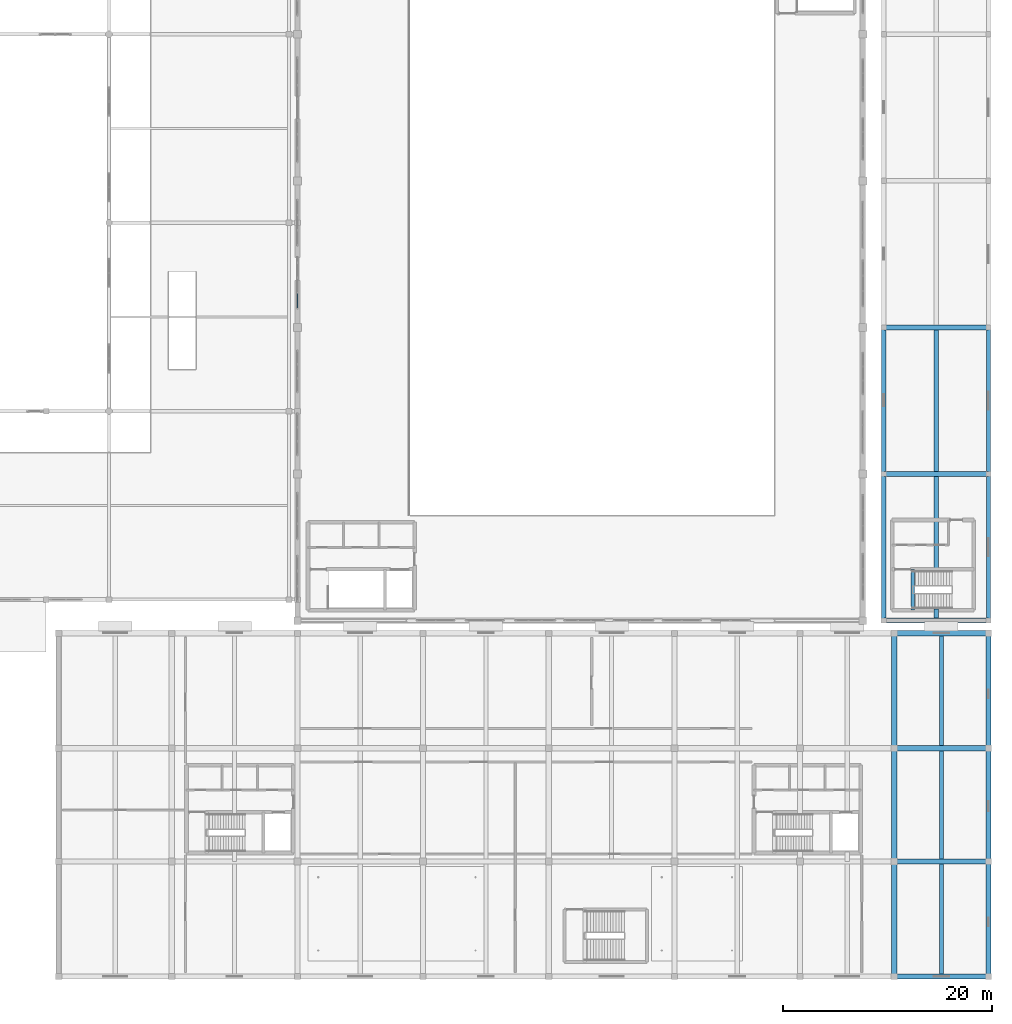
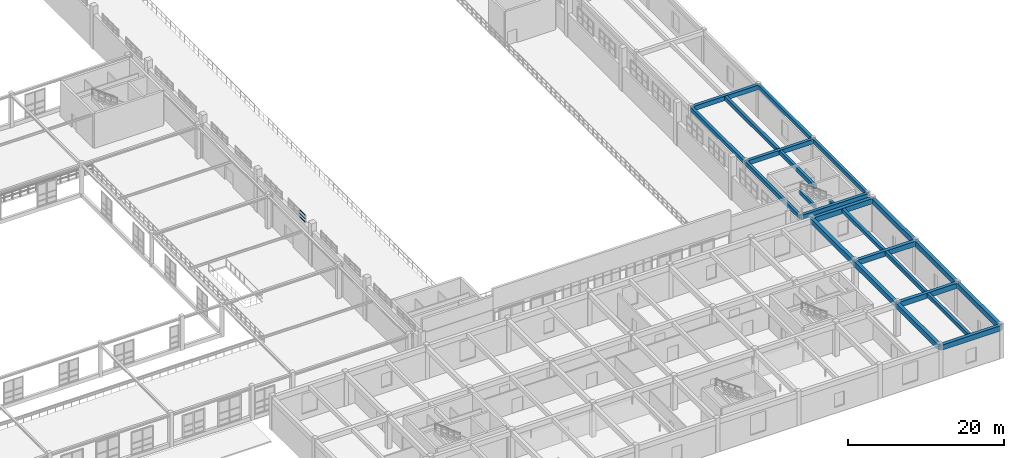
# One storey, part 117 of 197: 24 beams, 3 members, 1 element without a shape of its own.
"""IFC4 building model written with IfcOpenShell, lengths in metres."""

from ifc_helpers import new_model, si_unit, derived_unit, direction, frame, origin, origin_2d, place, context, subcontext, project, spatial, rectangle, hollow_rectangle, extrude, material, layer, layer_set, material_profile, profile_set, type_object, element, aggregate, save


model = new_model("IFC4")

# Units and contexts
model_context = context("Model", 3, precision=1e-05, world=origin(), true_north=direction((0.0, 1.0)))
body_context = subcontext(model_context, "Body", "Model", "MODEL_VIEW")
ifc_project = project(units=[si_unit("LENGTHUNIT", "METRE"), si_unit("AREAUNIT", "SQUARE_METRE"), si_unit("VOLUMEUNIT", "CUBIC_METRE"), si_unit("PLANEANGLEUNIT", "RADIAN"), si_unit("MASSUNIT", "GRAM", prefix="KILO"), derived_unit("THERMALTRANSMITTANCEUNIT", [(si_unit("POWERUNIT", "WATT"), 1), (si_unit("LENGTHUNIT", "METRE"), -2), (si_unit("THERMODYNAMICTEMPERATUREUNIT", "KELVIN"), -1)])], contexts=[model_context])

# Site, building, storey
site_placement = place(None, origin())
site = spatial("IfcSite", under=ifc_project, at=site_placement, CompositionType="ELEMENT")
building_placement = place(site_placement, origin())
building = spatial("IfcBuilding", under=site, at=building_placement, Name="Almenara Railside Exhibition Hall", CompositionType="ELEMENT")
storey_placement = place(building_placement, frame((0.0, 0.0, 5.39990234375)))
storey = spatial("IfcBuildingStorey", under=building, at=storey_placement, Name="L01", CompositionType="ELEMENT", Elevation=5.39990234375)

# Curtain wall, members
ifc_material_1 = material(Name="Bronze-anodised aluminium and low-E double glazing", Category="aluminium")
ifc_layer = layer(ifc_material_1, 0.179931640625, Name="Bronze-anodised aluminium and low-E double glazing")
ifc_layer_set = layer_set([ifc_layer], Name="Bronze-anodised aluminium and low-E double glazing")
curtain_wall_type = type_object("IfcCurtainWallType", Name="East Hall Clerestory Curtain Wall 4400x2300", PredefinedType="NOTDEFINED", material=ifc_layer_set)
curtain_wall_placement = place(storey_placement, origin())
curtain_wall = element("IfcCurtainWall", 1, at=curtain_wall_placement, inside=storey, type_object=curtain_wall_type, Name="Curtain wall CW-CL3-059", PredefinedType="NOTDEFINED")
ifc_material_2 = material(Name="Bronze-anodised aluminium", Category="aluminium")
ifc_material_profile_1 = material_profile(ifc_material_2, hollow_rectangle(XDim=0.070068359375, YDim=0.159912109375, WallThickness=0.00390625, InnerFilletRadius=0.00390625, OuterFilletRadius=0.008056640625, at=origin_2d()), Name="ALU-TRN 70x160x4")
ifc_profile_set_1 = profile_set([ifc_material_profile_1], Name="Bronze-anodised aluminium")
member_type = type_object("IfcMemberType", Name="Curtain Wall Transom 70x160x4", PredefinedType="USERDEFINED", material=ifc_profile_set_1)
member_1_placement = place(storey_placement, frame((138.0, 63.862060546875, 5.530029296875), z_axis=(0.0, 1.0, 0.0), x_axis=(-1.0, 0.0, 0.0)))
member_1 = element("IfcMember", 2, at=member_1_placement, type_object=member_type, Name="CW-CL3-059 transom 1.1", ObjectType="TRANSOM", PredefinedType="USERDEFINED", context=body_context, shape_type="SweptSolid", body=[
    extrude(hollow_rectangle(XDim=0.070068359375, YDim=0.159912109375, WallThickness=0.00390625, InnerFilletRadius=0.00390625, OuterFilletRadius=0.008056640625, at=origin_2d()), origin(), (0.0, 0.0, 1.0), 1.377685546875),
])
member_2_placement = place(storey_placement, frame((138.0, 63.862060546875, 6.050048828125), z_axis=(0.0, 1.0, 0.0), x_axis=(-1.0, 0.0, 0.0)))
member_2 = element("IfcMember", 3, at=member_2_placement, type_object=member_type, Name="CW-CL3-059 transom 1.2", ObjectType="TRANSOM", PredefinedType="USERDEFINED", context=body_context, shape_type="SweptSolid", body=[
    extrude(hollow_rectangle(XDim=0.070068359375, YDim=0.159912109375, WallThickness=0.00390625, InnerFilletRadius=0.00390625, OuterFilletRadius=0.008056640625, at=origin_2d()), origin(), (0.0, 0.0, 1.0), 1.377685546875),
])
member_3_placement = place(storey_placement, frame((138.0, 63.862060546875, 6.570068359375), z_axis=(0.0, 1.0, 0.0), x_axis=(-1.0, 0.0, 0.0)))
member_3 = element("IfcMember", 4, at=member_3_placement, type_object=member_type, Name="CW-CL3-059 transom 1.3", ObjectType="TRANSOM", PredefinedType="USERDEFINED", context=body_context, shape_type="SweptSolid", body=[
    extrude(hollow_rectangle(XDim=0.070068359375, YDim=0.159912109375, WallThickness=0.00390625, InnerFilletRadius=0.00390625, OuterFilletRadius=0.008056640625, at=origin_2d()), origin(), (0.0, 0.0, 1.0), 1.377685546875),
])
aggregate(curtain_wall, [member_1, member_2, member_3])

# Beams
ifc_material_3 = material(Name="Concrete C35/45", Category="concrete")
ifc_material_profile_2 = material_profile(ifc_material_3, rectangle(XDim=0.449951171875, YDim=0.699951171875, at=origin_2d()), Name="RC 450x700")
ifc_profile_set_2 = profile_set([ifc_material_profile_2], Name="Concrete C35/45")
beam_type_1 = type_object("IfcBeamType", Name="RC Floor Beam 450x700 C35/45", PredefinedType="BEAM", material=ifc_profile_set_2)
for number, where, z_axis, x_axis, name in (
    (5, (194.0, 34.0, 4.81103515625), (1.0, 0.0, 0.0), (0.0, 1.0, 0.0), "Beam 0439"),
    (6, (194.0, 48.0, 4.81103515625), (1.0, 0.0, 0.0), (0.0, 1.0, 0.0), "Beam 0440"),
    (7, (194.0, 62.0, 4.81103515625), (1.0, 0.0, 0.0), (0.0, 1.0, 0.0), "Beam 0441"),
):
    element("IfcBeam", number, at=place(storey_placement, frame(where, z_axis=z_axis, x_axis=x_axis)), inside=storey, type_object=beam_type_1, Name=name, PredefinedType="BEAM", context=body_context, shape_type="SweptSolid", body=[
        extrude(rectangle(XDim=0.449951171875, YDim=0.699951171875, at=origin_2d()), origin(), (0.0, 0.0, 1.0), 10.0),
    ])
ifc_material_profile_3 = material_profile(ifc_material_3, rectangle(XDim=0.5, YDim=0.800048828125, at=origin_2d()), Name="RC 500x800")
ifc_profile_set_3 = profile_set([ifc_material_profile_3], Name="Concrete C35/45")
beam_type_2 = type_object("IfcBeamType", Name="RC Primary Beam 500x800 C35/45", PredefinedType="BEAM", material=ifc_profile_set_3)
for number, where, z_axis, x_axis, name in (
    (8, (195.0, 0.0, 4.736083984375), (1.0, 0.0, 0.0), (0.0, 1.0, 0.0), "Beam 0175"),
    (9, (195.0, 11.0, 4.736083984375), (1.0, 0.0, 0.0), (0.0, 1.0, 0.0), "Beam 0183"),
    (10, (195.0, 21.800048828125, 4.736083984375), (1.0, 0.0, 0.0), (0.0, 1.0, 0.0), "Beam 0191"),
    (11, (195.0, 32.800048828125, 4.736083984375), (1.0, 0.0, 0.0), (0.0, 1.0, 0.0), "Beam 0199"),
):
    element("IfcBeam", number, at=place(storey_placement, frame(where, z_axis=z_axis, x_axis=x_axis)), inside=storey, type_object=beam_type_2, Name=name, PredefinedType="BEAM", context=body_context, shape_type="SweptSolid", body=[
        extrude(rectangle(XDim=0.5, YDim=0.800048828125, at=origin_2d()), origin(), (0.0, 0.0, 1.0), 9.0),
    ])
beam_1_placement = place(storey_placement, frame((195.0, 0.0, 4.736083984375), z_axis=(0.0, 1.0, 0.0), x_axis=(-1.0, 0.0, 0.0)))
element("IfcBeam", 12, at=beam_1_placement, inside=storey, type_object=beam_type_2, Name="Beam 0222", PredefinedType="BEAM", context=body_context, shape_type="SweptSolid", body=[
    extrude(rectangle(XDim=0.5, YDim=0.800048828125, at=origin_2d()), origin(), (0.0, 0.0, 1.0), 11.0),
])
beam_2_placement = place(storey_placement, frame((195.0, 11.0, 4.736083984375), z_axis=(0.0, 1.0, 0.0), x_axis=(-1.0, 0.0, 0.0)))
element("IfcBeam", 13, at=beam_2_placement, inside=storey, type_object=beam_type_2, Name="Beam 0223", PredefinedType="BEAM", context=body_context, shape_type="SweptSolid", body=[
    extrude(rectangle(XDim=0.5, YDim=0.800048828125, at=origin_2d()), origin(), (0.0, 0.0, 1.0), 10.800048828125),
])
for number, where, z_axis, x_axis, name in (
    (14, (195.0, 21.800048828125, 4.736083984375), (0.0, 1.0, 0.0), (-1.0, 0.0, 0.0), "Beam 0224"),
    (15, (204.0, 0.0, 4.736083984375), (0.0, 1.0, 0.0), (-1.0, 0.0, 0.0), "Beam 0225"),
):
    element("IfcBeam", number, at=place(storey_placement, frame(where, z_axis=z_axis, x_axis=x_axis)), inside=storey, type_object=beam_type_2, Name=name, PredefinedType="BEAM", context=body_context, shape_type="SweptSolid", body=[
        extrude(rectangle(XDim=0.5, YDim=0.800048828125, at=origin_2d()), origin(), (0.0, 0.0, 1.0), 11.0),
    ])
beam_3_placement = place(storey_placement, frame((204.0, 11.0, 4.736083984375), z_axis=(0.0, 1.0, 0.0), x_axis=(-1.0, 0.0, 0.0)))
element("IfcBeam", 16, at=beam_3_placement, inside=storey, type_object=beam_type_2, Name="Beam 0226", PredefinedType="BEAM", context=body_context, shape_type="SweptSolid", body=[
    extrude(rectangle(XDim=0.5, YDim=0.800048828125, at=origin_2d()), origin(), (0.0, 0.0, 1.0), 10.800048828125),
])
beam_4_placement = place(storey_placement, frame((204.0, 21.800048828125, 4.736083984375), z_axis=(0.0, 1.0, 0.0), x_axis=(-1.0, 0.0, 0.0)))
element("IfcBeam", 17, at=beam_4_placement, inside=storey, type_object=beam_type_2, Name="Beam 0227", PredefinedType="BEAM", context=body_context, shape_type="SweptSolid", body=[
    extrude(rectangle(XDim=0.5, YDim=0.800048828125, at=origin_2d()), origin(), (0.0, 0.0, 1.0), 11.0),
])
ifc_material_profile_4 = material_profile(ifc_material_3, rectangle(XDim=0.39990234375, YDim=0.60009765625, at=origin_2d()), Name="RC 400x600")
ifc_profile_set_4 = profile_set([ifc_material_profile_4], Name="Concrete C35/45")
beam_type_3 = type_object("IfcBeamType", Name="RC Secondary Beam 400x600 C35/45", PredefinedType="BEAM", material=ifc_profile_set_4)
beam_5_placement = place(storey_placement, frame((199.5, 0.25, 4.836181640625), z_axis=(0.0, 1.0, 0.0), x_axis=(-1.0, 0.0, 0.0)))
element("IfcBeam", 18, at=beam_5_placement, inside=storey, type_object=beam_type_3, Name="Beam 0251", PredefinedType="BEAM", context=body_context, shape_type="SweptSolid", body=[
    extrude(rectangle(XDim=0.39990234375, YDim=0.60009765625, at=origin_2d()), origin(), (0.0, 0.0, 1.0), 10.5),
])
beam_6_placement = place(storey_placement, frame((199.5, 11.25, 4.836181640625), z_axis=(0.0, 1.0, 0.0), x_axis=(-1.0, 0.0, 0.0)))
element("IfcBeam", 19, at=beam_6_placement, inside=storey, type_object=beam_type_3, Name="Beam 0252", PredefinedType="BEAM", context=body_context, shape_type="SweptSolid", body=[
    extrude(rectangle(XDim=0.39990234375, YDim=0.60009765625, at=origin_2d()), origin(), (0.0, 0.0, 1.0), 10.300048828125),
])
beam_7_placement = place(storey_placement, frame((199.5, 22.050048828125, 4.836181640625), z_axis=(0.0, 1.0, 0.0), x_axis=(-1.0, 0.0, 0.0)))
element("IfcBeam", 20, at=beam_7_placement, inside=storey, type_object=beam_type_3, Name="Beam 0253", PredefinedType="BEAM", context=body_context, shape_type="SweptSolid", body=[
    extrude(rectangle(XDim=0.39990234375, YDim=0.60009765625, at=origin_2d()), origin(), (0.0, 0.0, 1.0), 10.5),
])
for number, where, z_axis, x_axis, name in (
    (21, (194.0, 34.0, 4.861083984375), (0.0, 1.0, 0.0), (-1.0, 0.0, 0.0), "Beam 0446"),
    (22, (194.0, 48.0, 4.861083984375), (0.0, 1.0, 0.0), (-1.0, 0.0, 0.0), "Beam 0447"),
):
    element("IfcBeam", number, at=place(storey_placement, frame(where, z_axis=z_axis, x_axis=x_axis)), inside=storey, type_object=beam_type_3, Name=name, PredefinedType="BEAM", context=body_context, shape_type="SweptSolid", body=[
        extrude(rectangle(XDim=0.39990234375, YDim=0.60009765625, at=origin_2d()), origin(), (0.0, 0.0, 1.0), 14.0),
    ])
beam_8_placement = place(storey_placement, frame((199.0, 34.22509765625, 4.861083984375), z_axis=(0.0, 1.0, 0.0), x_axis=(-1.0, 0.0, 0.0)))
element("IfcBeam", 23, at=beam_8_placement, inside=storey, type_object=beam_type_3, Name="Beam 0452", PredefinedType="BEAM", context=body_context, shape_type="SweptSolid", body=[
    extrude(rectangle(XDim=0.39990234375, YDim=0.60009765625, at=origin_2d()), origin(), (0.0, 0.0, 1.0), 0.875),
])
beam_9_placement = place(storey_placement, frame((199.0, 38.820068359375, 4.861083984375), z_axis=(0.0, 1.0, 0.0), x_axis=(-1.0, 0.0, 0.0)))
element("IfcBeam", 24, at=beam_9_placement, inside=storey, type_object=beam_type_3, Name="Beam 0453", PredefinedType="BEAM", context=body_context, shape_type="SweptSolid", body=[
    extrude(rectangle(XDim=0.39990234375, YDim=0.60009765625, at=origin_2d()), origin(), (0.0, 0.0, 1.0), 8.954833984375),
])
beam_10_placement = place(storey_placement, frame((199.0, 48.22509765625, 4.861083984375), z_axis=(0.0, 1.0, 0.0), x_axis=(-1.0, 0.0, 0.0)))
element("IfcBeam", 25, at=beam_10_placement, inside=storey, type_object=beam_type_3, Name="Beam 0454", PredefinedType="BEAM", context=body_context, shape_type="SweptSolid", body=[
    extrude(rectangle(XDim=0.39990234375, YDim=0.60009765625, at=origin_2d()), origin(), (0.0, 0.0, 1.0), 13.5498046875),
])
for number, where, z_axis, x_axis, name in (
    (26, (204.0, 34.0, 4.861083984375), (0.0, 1.0, 0.0), (-1.0, 0.0, 0.0), "Beam 0459"),
    (27, (204.0, 48.0, 4.861083984375), (0.0, 1.0, 0.0), (-1.0, 0.0, 0.0), "Beam 0460"),
):
    element("IfcBeam", number, at=place(storey_placement, frame(where, z_axis=z_axis, x_axis=x_axis)), inside=storey, type_object=beam_type_3, Name=name, PredefinedType="BEAM", context=body_context, shape_type="SweptSolid", body=[
        extrude(rectangle(XDim=0.39990234375, YDim=0.60009765625, at=origin_2d()), origin(), (0.0, 0.0, 1.0), 14.0),
    ])
ifc_material_profile_5 = material_profile(ifc_material_3, rectangle(XDim=0.35009765625, YDim=0.5, at=origin_2d()), Name="RC 350x500")
ifc_profile_set_5 = profile_set([ifc_material_profile_5], Name="Concrete C35/45")
beam_type_4 = type_object("IfcBeamType", Name="RC Spandrel Tie Beam 350x500 C35/45", PredefinedType="SPANDREL", material=ifc_profile_set_5)
beam_11_placement = place(storey_placement, frame((196.75, 35.0, 4.89013671875), z_axis=(0.0, 1.0, 0.0), x_axis=(-1.0, 0.0, 0.0)))
element("IfcBeam", 28, at=beam_11_placement, inside=storey, type_object=beam_type_4, Name="Stair trimmer ST-C9-L01", PredefinedType="SPANDREL", context=body_context, shape_type="SweptSolid", body=[
    extrude(rectangle(XDim=0.35009765625, YDim=0.5, at=origin_2d()), origin(), (0.0, 0.0, 1.0), 3.89990234375),
])

save(model, "model.ifc")
